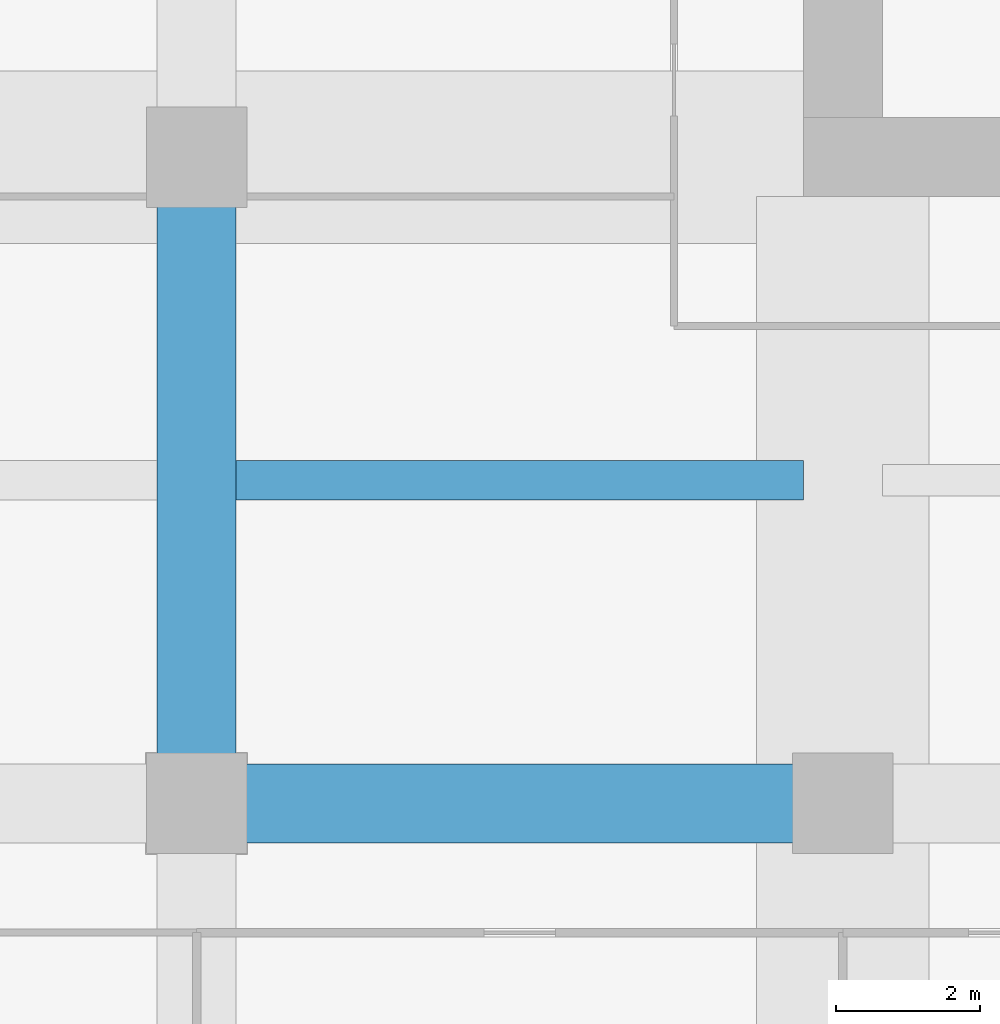
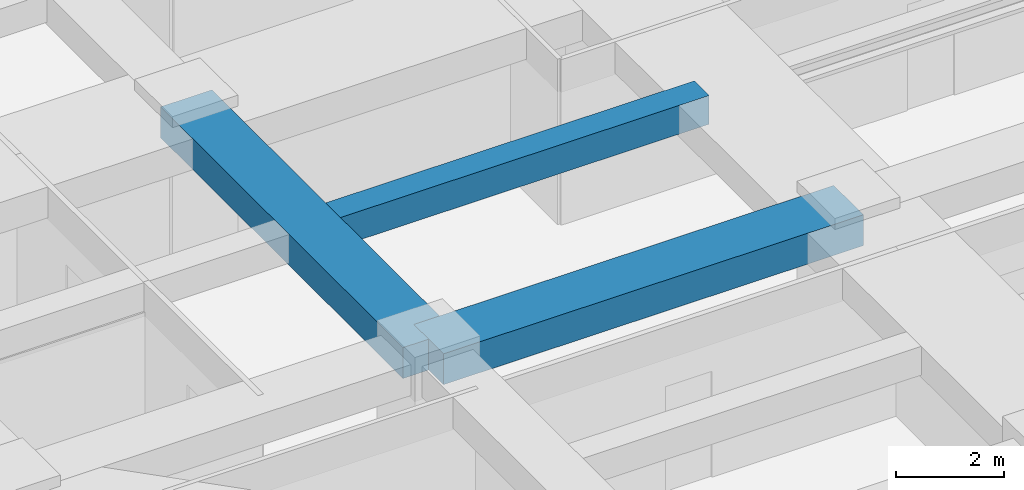
# One storey, part 5 of 35: 3 beams.
"""IFC4 building model written with IfcOpenShell, lengths in metres."""

from ifc_helpers import new_model, si_unit, direction, frame, origin, origin_2d, place, context, subcontext, project, spatial, rectangle, extrude, material, material_profile, profile_set, type_object, element, save


model = new_model("IFC4")

# Units and contexts
model_context = context("Model", 3, precision=1e-05, world=origin(), true_north=direction((0.0, 1.0)))
body_context = subcontext(model_context, "Body", "Model", "MODEL_VIEW")
ifc_project = project(units=[si_unit("LENGTHUNIT", "METRE"), si_unit("AREAUNIT", "SQUARE_METRE"), si_unit("VOLUMEUNIT", "CUBIC_METRE"), si_unit("PLANEANGLEUNIT", "RADIAN"), si_unit("MASSUNIT", "GRAM", prefix="KILO")], contexts=[model_context])

# Site, building, storey
site_placement = place(None, origin())
site = spatial("IfcSite", under=ifc_project, at=site_placement, CompositionType="ELEMENT")
building_placement = place(site_placement, origin())
building = spatial("IfcBuilding", under=site, at=building_placement, Name="Zorevar Civic Tower", CompositionType="ELEMENT")
storey_placement = place(building_placement, frame((0.0, 0.0, 218.199951171875)))
storey = spatial("IfcBuildingStorey", under=building, at=storey_placement, Name="L53", CompositionType="ELEMENT", Elevation=218.199951171875)

# Beams
ifc_material_1 = material(Name="Concrete C50/60", Category="concrete")
ifc_material_profile_1 = material_profile(ifc_material_1, rectangle(XDim=1.10009765625, YDim=0.699951171875, at=origin_2d()), Name="RC 1100x700")
ifc_profile_set_1 = profile_set([ifc_material_profile_1], Name="Concrete C50/60")
beam_type_1 = type_object("IfcBeamType", Name="Beam RC 1100x700", PredefinedType="BEAM", material=ifc_profile_set_1)
for number, where, z_axis, x_axis, name in (
    (1, (9.0, 9.0, 3.400146484375), (1.0, 0.0, 0.0), (0.0, 1.0, 0.0), "Girder L54"),
    (2, (9.0, 9.0, 3.400146484375), (0.0, 1.0, 0.0), (-1.0, 0.0, 0.0), "Girder L54"),
):
    element("IfcBeam", number, at=place(storey_placement, frame(where, z_axis=z_axis, x_axis=x_axis)), inside=storey, type_object=beam_type_1, Name=name, PredefinedType="BEAM", context=body_context, shape_type="SweptSolid", body=[
        extrude(rectangle(XDim=1.10009765625, YDim=0.699951171875, at=origin_2d()), origin(), (0.0, 0.0, 1.0), 9.0),
    ])
ifc_material_2 = material(Name="Concrete C50/60", Category="concrete")
ifc_material_profile_2 = material_profile(ifc_material_2, rectangle(XDim=0.550048828125, YDim=0.64990234375, at=origin_2d()), Name="RC 550x650")
ifc_profile_set_2 = profile_set([ifc_material_profile_2], Name="Concrete C50/60")
beam_type_2 = type_object("IfcBeamType", Name="Beam RC 550x650", PredefinedType="BEAM", material=ifc_profile_set_2)
beam_placement = place(storey_placement, frame((9.550048828125, 13.5, 3.425048828125), z_axis=(1.0, 0.0, 0.0), x_axis=(0.0, 1.0, 0.0)))
element("IfcBeam", 3, at=beam_placement, inside=storey, type_object=beam_type_2, Name="Secondary beam L54", PredefinedType="BEAM", context=body_context, shape_type="SweptSolid", body=[
    extrude(rectangle(XDim=0.550048828125, YDim=0.64990234375, at=origin_2d()), origin(), (0.0, 0.0, 1.0), 7.89990234375),
])

save(model, "model.ifc")
